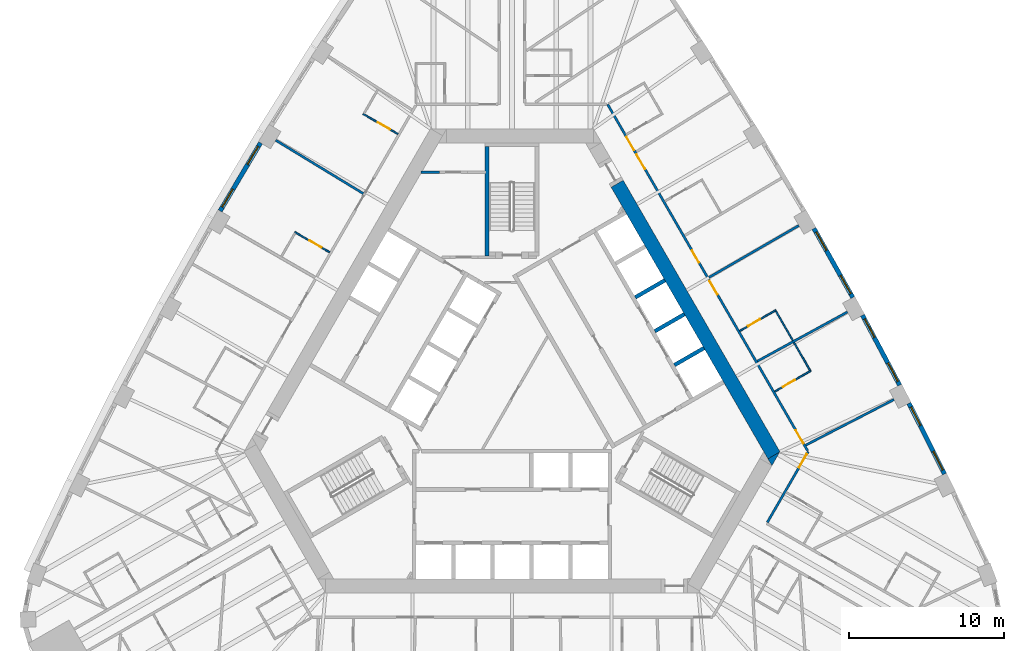
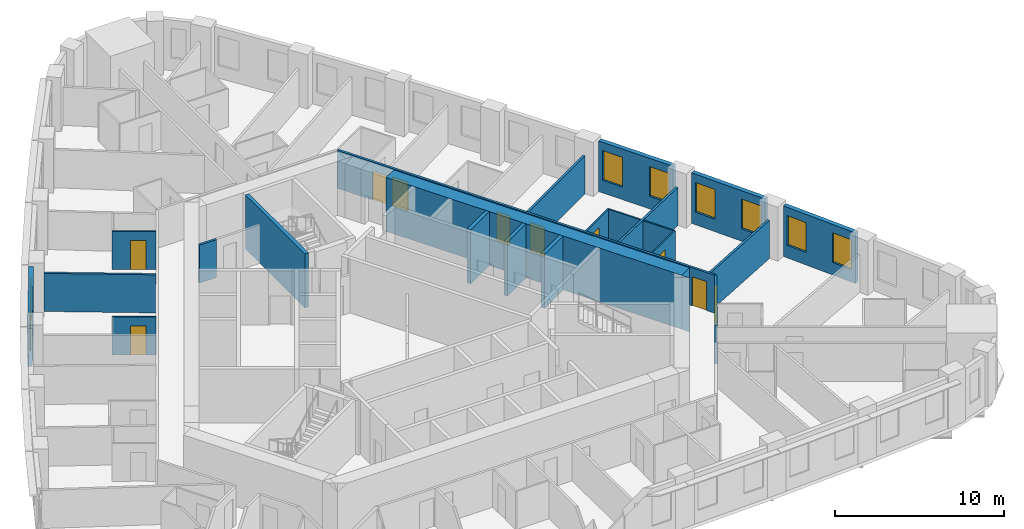
# One storey, part 9 of 13: 23 walls, 10 doors, 8 windows, 18 openings.
"""IFC4 building model written with IfcOpenShell, lengths in metres."""

from ifc_helpers import new_model, si_unit, direction, frame, frame_2d, origin, place, context, subcontext, project, spatial, polyline, rectangle, outline, extrude, material, layer, layer_set, type_object, element, fill, save


model = new_model("IFC4")

# Units and contexts
model_context = context("Model", 3, precision=1e-05, world=origin(), true_north=direction((0.0, 1.0)))
body_context = subcontext(model_context, "Body", "Model", "MODEL_VIEW")
ifc_project = project(units=[si_unit("LENGTHUNIT", "METRE"), si_unit("AREAUNIT", "SQUARE_METRE"), si_unit("VOLUMEUNIT", "CUBIC_METRE"), si_unit("PLANEANGLEUNIT", "RADIAN"), si_unit("MASSUNIT", "GRAM", prefix="KILO")], contexts=[model_context])

# Site, building, storey
site_placement = place(None, origin())
site = spatial("IfcSite", under=ifc_project, at=site_placement, CompositionType="ELEMENT")
building_placement = place(site_placement, origin())
building = spatial("IfcBuilding", under=site, at=building_placement, Name="Mestral Congress Tower", CompositionType="ELEMENT")
storey_placement = place(building_placement, frame((0.0, 0.0, 83.699951171875)))
storey = spatial("IfcBuildingStorey", under=building, at=storey_placement, Name="L19", CompositionType="ELEMENT", Elevation=83.699951171875)

# Walls
ifc_material_1 = material(Name="Fire-rated board partition")
ifc_layer_1 = layer(ifc_material_1, 0.14990234375)
ifc_layer_set_1 = layer_set([ifc_layer_1], Name="Fire-rated board partition")
wall_type_1 = type_object("IfcWallType", Name="Core partition 150", PredefinedType="PARTITIONING", material=ifc_layer_set_1)
wall_1_placement = place(storey_placement, frame((-5.85107421875, 14.10205078125, 0.0), z_axis=(0.0, 0.0, 1.0), x_axis=(1.0, 0.0, 0.0)))
element("IfcWall", 1, at=wall_1_placement, inside=storey, type_object=wall_type_1, Name="L19 core wall", PredefinedType="PARTITIONING", context=body_context, shape_type="SweptSolid", body=[
    extrude(rectangle(XDim=1.18017578125, YDim=0.14990234375, at=frame_2d((0.590087890625, 0.0))), origin(), (0.0, 0.0, 1.0), 2.75),
])
ifc_material_2 = material(Name="Concrete C60/75", Category="concrete")
ifc_layer_2 = layer(ifc_material_2, 0.89990234375)
ifc_layer_set_2 = layer_set([ifc_layer_2], Name="Concrete C60/75")
wall_type_2 = type_object("IfcWallType", Name="Core wall RC 900", PredefinedType="SOLIDWALL", material=ifc_layer_set_2)
wall_2_placement = place(storey_placement, frame((6.77587890625, 13.36376953125, 0.0), z_axis=(0.0, 0.0, 1.0), x_axis=(0.500004177138, -0.8660229921, 0.0)))
element("IfcWall", 2, at=wall_2_placement, inside=storey, type_object=wall_type_2, Name="L19 core wall", PredefinedType="SOLIDWALL", context=body_context, shape_type="SweptSolid", body=[
    extrude(rectangle(XDim=20.203857421875, YDim=0.89990234375, at=frame_2d((10.10205078125, 0.0))), origin(), (0.0, 0.0, 1.0), 3.900146484375),
])
wall_3_placement = place(storey_placement, origin())
element("IfcWall", 3, at=wall_3_placement, inside=storey, type_object=wall_type_2, Name="L19 core wall", PredefinedType="SOLIDWALL", context=body_context, shape_type="SweptSolid", body=[
    extrude(outline(polyline([(16.7431640625, -4.800048828125), (16.4892578125, -4.360107421875), (17.251220703125, -3.920166015625), (16.7431640625, -4.800048828125)])), origin(), (0.0, 0.0, 1.0), 3.900146484375),
])

# Wall, openings, windows
ifc_material_3 = material(Name="Precast concrete C40/50 with limestone facing", Category="masonry")
ifc_layer_3 = layer(ifc_material_3, 0.2900390625)
ifc_layer_set_3 = layer_set([ifc_layer_3], Name="Precast concrete C40/50 with limestone facing")
wall_type_3 = type_object("IfcWallType", Name="Facade stone wall 290", PredefinedType="SOLIDWALL", material=ifc_layer_set_3)
wall_4_placement = place(storey_placement, frame((27.864013671875, -5.336181640625, 0.0), z_axis=(0.0, 0.0, 1.0), x_axis=(-0.448534297211, 0.893765620409, 0.0)))
wall_4 = element("IfcWall", 4, at=wall_4_placement, inside=storey, type_object=wall_type_3, Name="Facade wall F1-01", PredefinedType="SOLIDWALL", context=body_context, shape_type="SweptSolid", body=[
    extrude(rectangle(XDim=5.10009765625, YDim=0.2900390625, at=frame_2d((2.550048828125, 0.0))), origin(), (0.0, 0.0, 1.0), 3.650146484375),
])
opening_1_placement = place(wall_4_placement, frame((0.2724609375, 0.0, 0.89990234375)))
opening_1 = element("IfcOpeningElement", 5, at=opening_1_placement, cuts=wall_4, Name="Opening W2", PredefinedType="OPENING", context=body_context, shape_type="SweptSolid", body=[
    extrude(rectangle(XDim=1.35009765625, YDim=2.14990234375, at=frame_2d((0.675048828125, 1.074951171875))), frame((0.0, 0.155029296875, 0.0), z_axis=(0.0, -1.0, 0.0), x_axis=(1.0, 0.0, 0.0)), (0.0, 0.0, 1.0), 0.31005859375),
])
opening_2_placement = place(wall_4_placement, frame((3.477783203125, 0.0, 0.89990234375)))
opening_2 = element("IfcOpeningElement", 6, at=opening_2_placement, cuts=wall_4, Name="Opening W2", PredefinedType="OPENING", context=body_context, shape_type="SweptSolid", body=[
    extrude(rectangle(XDim=1.35009765625, YDim=2.14990234375, at=frame_2d((0.675048828125, 1.074951171875))), frame((0.0, 0.155029296875, 0.0), z_axis=(0.0, -1.0, 0.0), x_axis=(1.0, 0.0, 0.0)), (0.0, 0.0, 1.0), 0.31005859375),
])
ifc_material_4 = material(Name="Clear low-emissivity double glazing", Category="glass")
window_type = type_object("IfcWindowType", Name="Facade punched window 1350 x 2150 sill 900", PartitioningType="DOUBLE_PANEL_VERTICAL", PredefinedType="WINDOW", material=ifc_material_4)
window_1_placement = place(opening_1_placement, origin())
window_1 = element("IfcWindow", 7, at=window_1_placement, inside=storey, type_object=window_type, Name="Window F1-01a", OverallHeight=2.14990234375, OverallWidth=1.35009765625, PartitioningType="DOUBLE_PANEL_VERTICAL", PredefinedType="WINDOW", context=body_context, shape_type="SweptSolid", body=[
    extrude(rectangle(XDim=1.35009765625, YDim=2.14990234375, at=frame_2d((0.675048828125, 1.074951171875))), frame((0.0, 0.01513671875, 0.0), z_axis=(0.0, -1.0, 0.0), x_axis=(1.0, 0.0, 0.0)), (0.0, 0.0, 1.0), 0.06005859375),
])
fill(opening_1, window_1)
window_2_placement = place(opening_2_placement, origin())
window_2 = element("IfcWindow", 8, at=window_2_placement, inside=storey, type_object=window_type, Name="Window F1-01b", OverallHeight=2.14990234375, OverallWidth=1.35009765625, PartitioningType="DOUBLE_PANEL_VERTICAL", PredefinedType="WINDOW", context=body_context, shape_type="SweptSolid", body=[
    extrude(rectangle(XDim=1.35009765625, YDim=2.14990234375, at=frame_2d((0.675048828125, 1.074951171875))), frame((0.0, 0.01513671875, 0.0), z_axis=(0.0, -1.0, 0.0), x_axis=(1.0, 0.0, 0.0)), (0.0, 0.0, 1.0), 0.06005859375),
])
fill(opening_2, window_2)

wall_5_placement = place(storey_placement, frame((24.976806640625, 0.3828125, 0.0), z_axis=(0.0, 0.0, 1.0), x_axis=(-0.469323203119, 0.883026461106, 0.0)))
wall_5 = element("IfcWall", 9, at=wall_5_placement, inside=storey, type_object=wall_type_3, Name="Facade wall F1-02", PredefinedType="SOLIDWALL", context=body_context, shape_type="SweptSolid", body=[
    extrude(rectangle(XDim=5.1005859375, YDim=0.2900390625, at=frame_2d((2.55029296875, 0.0))), origin(), (0.0, 0.0, 1.0), 3.650146484375),
])
opening_3_placement = place(wall_5_placement, frame((0.272705078125, 0.0, 0.89990234375)))
opening_3 = element("IfcOpeningElement", 10, at=opening_3_placement, cuts=wall_5, Name="Opening W2", PredefinedType="OPENING", context=body_context, shape_type="SweptSolid", body=[
    extrude(rectangle(XDim=1.35009765625, YDim=2.14990234375, at=frame_2d((0.675048828125, 1.074951171875))), frame((0.0, 0.155029296875, 0.0), z_axis=(0.0, -1.0, 0.0), x_axis=(1.0, 0.0, 0.0)), (0.0, 0.0, 1.0), 0.31005859375),
])
opening_4_placement = place(wall_5_placement, frame((3.477783203125, 0.0, 0.89990234375)))
opening_4 = element("IfcOpeningElement", 11, at=opening_4_placement, cuts=wall_5, Name="Opening W2", PredefinedType="OPENING", context=body_context, shape_type="SweptSolid", body=[
    extrude(rectangle(XDim=1.35009765625, YDim=2.14990234375, at=frame_2d((0.675048828125, 1.074951171875))), frame((0.0, 0.155029296875, 0.0), z_axis=(0.0, -1.0, 0.0), x_axis=(1.0, 0.0, 0.0)), (0.0, 0.0, 1.0), 0.31005859375),
])
window_3_placement = place(opening_3_placement, origin())
window_3 = element("IfcWindow", 12, at=window_3_placement, inside=storey, type_object=window_type, Name="Window F1-02a", OverallHeight=2.14990234375, OverallWidth=1.35009765625, PartitioningType="DOUBLE_PANEL_VERTICAL", PredefinedType="WINDOW", context=body_context, shape_type="SweptSolid", body=[
    extrude(rectangle(XDim=1.35009765625, YDim=2.14990234375, at=frame_2d((0.675048828125, 1.074951171875))), frame((0.0, 0.01513671875, 0.0), z_axis=(0.0, -1.0, 0.0), x_axis=(1.0, 0.0, 0.0)), (0.0, 0.0, 1.0), 0.06005859375),
])
fill(opening_3, window_3)
window_4_placement = place(opening_4_placement, origin())
window_4 = element("IfcWindow", 13, at=window_4_placement, inside=storey, type_object=window_type, Name="Window F1-02b", OverallHeight=2.14990234375, OverallWidth=1.35009765625, PartitioningType="DOUBLE_PANEL_VERTICAL", PredefinedType="WINDOW", context=body_context, shape_type="SweptSolid", body=[
    extrude(rectangle(XDim=1.35009765625, YDim=2.14990234375, at=frame_2d((0.675048828125, 1.074951171875))), frame((0.0, 0.01513671875, 0.0), z_axis=(0.0, -1.0, 0.0), x_axis=(1.0, 0.0, 0.0)), (0.0, 0.0, 1.0), 0.06005859375),
])
fill(opening_4, window_4)

wall_6_placement = place(storey_placement, frame((21.956298828125, 6.033203125, 0.0), z_axis=(0.0, 0.0, 1.0), x_axis=(-0.48983164787, 0.87181704316, 0.0)))
wall_6 = element("IfcWall", 14, at=wall_6_placement, inside=storey, type_object=wall_type_3, Name="Facade wall F1-03", PredefinedType="SOLIDWALL", context=body_context, shape_type="SweptSolid", body=[
    extrude(rectangle(XDim=5.100341796875, YDim=0.2900390625, at=frame_2d((2.55029296875, 0.0))), origin(), (0.0, 0.0, 1.0), 3.650146484375),
])
opening_5_placement = place(wall_6_placement, frame((0.272705078125, 0.0, 0.89990234375)))
opening_5 = element("IfcOpeningElement", 15, at=opening_5_placement, cuts=wall_6, Name="Opening W2", PredefinedType="OPENING", context=body_context, shape_type="SweptSolid", body=[
    extrude(rectangle(XDim=1.35009765625, YDim=2.14990234375, at=frame_2d((0.675048828125, 1.074951171875))), frame((0.0, 0.155029296875, 0.0), z_axis=(0.0, -1.0, 0.0), x_axis=(1.0, 0.0, 0.0)), (0.0, 0.0, 1.0), 0.31005859375),
])
opening_6_placement = place(wall_6_placement, frame((3.477783203125, 0.0, 0.89990234375)))
opening_6 = element("IfcOpeningElement", 16, at=opening_6_placement, cuts=wall_6, Name="Opening W2", PredefinedType="OPENING", context=body_context, shape_type="SweptSolid", body=[
    extrude(rectangle(XDim=1.35009765625, YDim=2.14990234375, at=frame_2d((0.675048828125, 1.074951171875))), frame((0.0, 0.155029296875, 0.0), z_axis=(0.0, -1.0, 0.0), x_axis=(1.0, 0.0, 0.0)), (0.0, 0.0, 1.0), 0.31005859375),
])
window_5_placement = place(opening_5_placement, origin())
window_5 = element("IfcWindow", 17, at=window_5_placement, inside=storey, type_object=window_type, Name="Window F1-03a", OverallHeight=2.14990234375, OverallWidth=1.35009765625, PartitioningType="DOUBLE_PANEL_VERTICAL", PredefinedType="WINDOW", context=body_context, shape_type="SweptSolid", body=[
    extrude(rectangle(XDim=1.35009765625, YDim=2.14990234375, at=frame_2d((0.675048828125, 1.074951171875))), frame((0.0, 0.01513671875, 0.0), z_axis=(0.0, -1.0, 0.0), x_axis=(1.0, 0.0, 0.0)), (0.0, 0.0, 1.0), 0.06005859375),
])
fill(opening_5, window_5)
window_6_placement = place(opening_6_placement, origin())
window_6 = element("IfcWindow", 18, at=window_6_placement, inside=storey, type_object=window_type, Name="Window F1-03b", OverallHeight=2.14990234375, OverallWidth=1.35009765625, PartitioningType="DOUBLE_PANEL_VERTICAL", PredefinedType="WINDOW", context=body_context, shape_type="SweptSolid", body=[
    extrude(rectangle(XDim=1.35009765625, YDim=2.14990234375, at=frame_2d((0.675048828125, 1.074951171875))), frame((0.0, 0.01513671875, 0.0), z_axis=(0.0, -1.0, 0.0), x_axis=(1.0, 0.0, 0.0)), (0.0, 0.0, 1.0), 0.06005859375),
])
fill(opening_6, window_6)

wall_7_placement = place(storey_placement, frame((-16.203125, 15.998291015625, 0.0), z_axis=(0.0, 0.0, 1.0), x_axis=(-0.510054281659, -0.860142214847, 0.0)))
wall_7 = element("IfcWall", 19, at=wall_7_placement, inside=storey, type_object=wall_type_3, Name="Facade wall F2-03", PredefinedType="SOLIDWALL", context=body_context, shape_type="SweptSolid", body=[
    extrude(rectangle(XDim=5.1005859375, YDim=0.2900390625, at=frame_2d((2.55029296875, 0.0))), origin(), (0.0, 0.0, 1.0), 3.650146484375),
])
opening_7_placement = place(wall_7_placement, frame((0.272705078125, 0.0, 0.89990234375)))
opening_7 = element("IfcOpeningElement", 20, at=opening_7_placement, cuts=wall_7, Name="Opening W2", PredefinedType="OPENING", context=body_context, shape_type="SweptSolid", body=[
    extrude(rectangle(XDim=1.35009765625, YDim=2.14990234375, at=frame_2d((0.675048828125, 1.074951171875))), frame((0.0, 0.155029296875, 0.0), z_axis=(0.0, -1.0, 0.0), x_axis=(1.0, 0.0, 0.0)), (0.0, 0.0, 1.0), 0.31005859375),
])
opening_8_placement = place(wall_7_placement, frame((3.477783203125, 0.0, 0.89990234375)))
opening_8 = element("IfcOpeningElement", 21, at=opening_8_placement, cuts=wall_7, Name="Opening W2", PredefinedType="OPENING", context=body_context, shape_type="SweptSolid", body=[
    extrude(rectangle(XDim=1.35009765625, YDim=2.14990234375, at=frame_2d((0.675048828125, 1.074951171875))), frame((0.0, 0.155029296875, 0.0), z_axis=(0.0, -1.0, 0.0), x_axis=(1.0, 0.0, 0.0)), (0.0, 0.0, 1.0), 0.31005859375),
])
window_7_placement = place(opening_7_placement, origin())
window_7 = element("IfcWindow", 22, at=window_7_placement, inside=storey, type_object=window_type, Name="Window F2-03a", OverallHeight=2.14990234375, OverallWidth=1.35009765625, PartitioningType="DOUBLE_PANEL_VERTICAL", PredefinedType="WINDOW", context=body_context, shape_type="SweptSolid", body=[
    extrude(rectangle(XDim=1.35009765625, YDim=2.14990234375, at=frame_2d((0.675048828125, 1.074951171875))), frame((0.0, 0.01513671875, 0.0), z_axis=(0.0, -1.0, 0.0), x_axis=(1.0, 0.0, 0.0)), (0.0, 0.0, 1.0), 0.06005859375),
])
fill(opening_7, window_7)
window_8_placement = place(opening_8_placement, origin())
window_8 = element("IfcWindow", 23, at=window_8_placement, inside=storey, type_object=window_type, Name="Window F2-03b", OverallHeight=2.14990234375, OverallWidth=1.35009765625, PartitioningType="DOUBLE_PANEL_VERTICAL", PredefinedType="WINDOW", context=body_context, shape_type="SweptSolid", body=[
    extrude(rectangle(XDim=1.35009765625, YDim=2.14990234375, at=frame_2d((0.675048828125, 1.074951171875))), frame((0.0, 0.01513671875, 0.0), z_axis=(0.0, -1.0, 0.0), x_axis=(1.0, 0.0, 0.0)), (0.0, 0.0, 1.0), 0.06005859375),
])
fill(opening_8, window_8)

# Wall, opening, door
ifc_material_5 = material(Name="Gypsum board partition on metal studs with mineral wool", Category="composite")
ifc_layer_4 = layer(ifc_material_5, 0.10009765625)
ifc_layer_set_4 = layer_set([ifc_layer_4], Name="Gypsum board partition on metal studs with mineral wool")
wall_type_4 = type_object("IfcWallType", Name="Hotel partition wall 100", PredefinedType="PARTITIONING", material=ifc_layer_set_4)
wall_8_placement = place(storey_placement, frame((16.931396484375, -0.02587890625, 0.0), z_axis=(0.0, 0.0, 1.0), x_axis=(0.866059108428, 0.4999416173, 0.0)))
wall_8 = element("IfcWall", 24, at=wall_8_placement, inside=storey, type_object=wall_type_4, Name="L19-h-pod12a", PredefinedType="PARTITIONING", context=body_context, shape_type="SweptSolid", body=[
    extrude(rectangle(XDim=2.699951171875, YDim=0.10009765625, at=frame_2d((1.35009765625, 0.0))), origin(), (0.0, 0.0, 1.0), 2.75),
])
opening_9_placement = place(wall_8_placement, frame((0.60009765625, 0.0, 0.0)))
opening_9 = element("IfcOpeningElement", 25, at=opening_9_placement, cuts=wall_8, Name="Opening H06-023", PredefinedType="OPENING", context=body_context, shape_type="SweptSolid", body=[
    extrude(rectangle(XDim=0.89990234375, YDim=2.10009765625, at=frame_2d((0.449951171875, 1.050048828125))), frame((0.0, 0.06005859375, 0.0), z_axis=(0.0, -1.0, 0.0), x_axis=(1.0, 0.0, 0.0)), (0.0, 0.0, 1.0), 0.1201171875),
])
ifc_material_6 = material(Name="Timber veneer door leaf in timber frame", Category="wood")
door_type_1 = type_object("IfcDoorType", Name="Bathroom door 900", OperationType="SINGLE_SWING_LEFT", PredefinedType="DOOR", material=ifc_material_6)
door_1_placement = place(opening_9_placement, origin())
door_1 = element("IfcDoor", 26, at=door_1_placement, inside=storey, type_object=door_type_1, Name="L19-h-d023", OperationType="SINGLE_SWING_RIGHT", OverallHeight=2.10009765625, OverallWidth=0.89990234375, PredefinedType="DOOR", context=body_context, shape_type="SweptSolid", body=[
    extrude(rectangle(XDim=0.89990234375, YDim=2.10009765625, at=frame_2d((0.449951171875, 1.050048828125))), frame((0.0, 0.02490234375, 0.0), z_axis=(0.0, -1.0, 0.0), x_axis=(1.0, 0.0, 0.0)), (0.0, 0.0, 1.0), 0.050048828125),
])
fill(opening_9, door_1)

# Wall
wall_9_placement = place(storey_placement, frame((19.1962890625, 1.350830078125, 0.0), z_axis=(0.0, 0.0, 1.0), x_axis=(-0.499956128963, 0.866050731258, 0.0)))
element("IfcWall", 27, at=wall_9_placement, inside=storey, type_object=wall_type_4, Name="L19-h-pod12b", PredefinedType="PARTITIONING", context=body_context, shape_type="SweptSolid", body=[
    extrude(rectangle(XDim=2.050048828125, YDim=0.10009765625, at=frame_2d((1.02490234375, 0.0))), origin(), (0.0, 0.0, 1.0), 2.75),
])

# Wall, opening, door
wall_10_placement = place(storey_placement, frame((17.015625, 5.22802734375, 0.0), z_axis=(0.0, 0.0, 1.0), x_axis=(-0.86599734893, -0.500048589285, 0.0)))
wall_10 = element("IfcWall", 28, at=wall_10_placement, inside=storey, type_object=wall_type_4, Name="L19-h-pod13a", PredefinedType="PARTITIONING", context=body_context, shape_type="SweptSolid", body=[
    extrude(rectangle(XDim=2.699951171875, YDim=0.10009765625, at=frame_2d((1.35009765625, 0.0))), origin(), (0.0, 0.0, 1.0), 2.75),
])
opening_10_placement = place(wall_10_placement, frame((1.199951171875, 0.0, 0.0)))
opening_10 = element("IfcOpeningElement", 29, at=opening_10_placement, cuts=wall_10, Name="Opening H06-025", PredefinedType="OPENING", context=body_context, shape_type="SweptSolid", body=[
    extrude(rectangle(XDim=0.89990234375, YDim=2.10009765625, at=frame_2d((0.449951171875, 1.050048828125))), frame((0.0, 0.06005859375, 0.0), z_axis=(0.0, -1.0, 0.0), x_axis=(1.0, 0.0, 0.0)), (0.0, 0.0, 1.0), 0.1201171875),
])
door_2_placement = place(opening_10_placement, origin())
door_2 = element("IfcDoor", 30, at=door_2_placement, inside=storey, type_object=door_type_1, Name="L19-h-d025", OperationType="SINGLE_SWING_LEFT", OverallHeight=2.10009765625, OverallWidth=0.89990234375, PredefinedType="DOOR", context=body_context, shape_type="SweptSolid", body=[
    extrude(rectangle(XDim=0.89990234375, YDim=2.10009765625, at=frame_2d((0.449951171875, 1.050048828125))), frame((0.0, 0.02490234375, 0.0), z_axis=(0.0, -1.0, 0.0), x_axis=(1.0, 0.0, 0.0)), (0.0, 0.0, 1.0), 0.050048828125),
])
fill(opening_10, door_2)

# Wall
wall_11_placement = place(storey_placement, frame((16.997314453125, 5.15966796875, 0.0), z_axis=(0.0, 0.0, 1.0), x_axis=(0.500011965869, -0.866018495177, 0.0)))
element("IfcWall", 31, at=wall_11_placement, inside=storey, type_object=wall_type_4, Name="L19-h-pod13b", PredefinedType="PARTITIONING", context=body_context, shape_type="SweptSolid", body=[
    extrude(rectangle(XDim=2.18994140625, YDim=0.10009765625, at=frame_2d((1.094970703125, 0.0))), origin(), (0.0, 0.0, 1.0), 2.75),
])

# Wall, opening, door
wall_12_placement = place(storey_placement, frame((-9.602783203125, 17.86767578125, 0.0), z_axis=(0.0, 0.0, 1.0), x_axis=(0.866021400173, -0.500006934395, 0.0)))
wall_12 = element("IfcWall", 32, at=wall_12_placement, inside=storey, type_object=wall_type_4, Name="L19-h-pod21a", PredefinedType="PARTITIONING", context=body_context, shape_type="SweptSolid", body=[
    extrude(rectangle(XDim=2.60009765625, YDim=0.10009765625, at=frame_2d((1.300048828125, 0.0))), origin(), (0.0, 0.0, 1.0), 2.75),
])
opening_11_placement = place(wall_12_placement, frame((1.10009765625, 0.0, 0.0)))
opening_11 = element("IfcOpeningElement", 33, at=opening_11_placement, cuts=wall_12, Name="Opening H06-040", PredefinedType="OPENING", context=body_context, shape_type="SweptSolid", body=[
    extrude(rectangle(XDim=0.89990234375, YDim=2.10009765625, at=frame_2d((0.449951171875, 1.050048828125))), frame((0.0, 0.06005859375, 0.0), z_axis=(0.0, -1.0, 0.0), x_axis=(1.0, 0.0, 0.0)), (0.0, 0.0, 1.0), 0.1201171875),
])
door_3_placement = place(opening_11_placement, origin())
door_3 = element("IfcDoor", 34, at=door_3_placement, inside=storey, type_object=door_type_1, Name="L19-h-d040", OperationType="SINGLE_SWING_RIGHT", OverallHeight=2.10009765625, OverallWidth=0.89990234375, PredefinedType="DOOR", context=body_context, shape_type="SweptSolid", body=[
    extrude(rectangle(XDim=0.89990234375, YDim=2.10009765625, at=frame_2d((0.449951171875, 1.050048828125))), frame((0.0, 0.02490234375, 0.0), z_axis=(0.0, -1.0, 0.0), x_axis=(1.0, 0.0, 0.0)), (0.0, 0.0, 1.0), 0.050048828125),
])
fill(opening_11, door_3)

wall_13_placement = place(storey_placement, frame((-11.74951171875, 8.949462890625, 0.0), z_axis=(0.0, 0.0, 1.0), x_axis=(-0.865997922154, 0.500047596559, 0.0)))
wall_13 = element("IfcWall", 35, at=wall_13_placement, inside=storey, type_object=wall_type_4, Name="L19-h-pod22a", PredefinedType="PARTITIONING", context=body_context, shape_type="SweptSolid", body=[
    extrude(rectangle(XDim=2.599853515625, YDim=0.10009765625, at=frame_2d((1.2998046875, 0.0))), origin(), (0.0, 0.0, 1.0), 2.75),
])
opening_12_placement = place(wall_13_placement, frame((0.60009765625, 0.0, 0.0)))
opening_12 = element("IfcOpeningElement", 36, at=opening_12_placement, cuts=wall_13, Name="Opening H06-042", PredefinedType="OPENING", context=body_context, shape_type="SweptSolid", body=[
    extrude(rectangle(XDim=0.89990234375, YDim=2.10009765625, at=frame_2d((0.449951171875, 1.050048828125))), frame((0.0, 0.06005859375, 0.0), z_axis=(0.0, -1.0, 0.0), x_axis=(1.0, 0.0, 0.0)), (0.0, 0.0, 1.0), 0.1201171875),
])
door_4_placement = place(opening_12_placement, origin())
door_4 = element("IfcDoor", 37, at=door_4_placement, inside=storey, type_object=door_type_1, Name="L19-h-d042", OperationType="SINGLE_SWING_LEFT", OverallHeight=2.10009765625, OverallWidth=0.89990234375, PredefinedType="DOOR", context=body_context, shape_type="SweptSolid", body=[
    extrude(rectangle(XDim=0.89990234375, YDim=2.10009765625, at=frame_2d((0.449951171875, 1.050048828125))), frame((0.0, 0.02490234375, 0.0), z_axis=(0.0, -1.0, 0.0), x_axis=(1.0, 0.0, 0.0)), (0.0, 0.0, 1.0), 0.050048828125),
])
fill(opening_12, door_4)

ifc_layer_5 = layer(ifc_material_5, 0.14990234375)
ifc_layer_set_5 = layer_set([ifc_layer_5], Name="Gypsum board partition on metal studs with mineral wool")
wall_type_5 = type_object("IfcWallType", Name="Hotel partition wall 150", PredefinedType="PARTITIONING", material=ifc_layer_set_5)
wall_14_placement = place(storey_placement, frame((19.081298828125, -3.89990234375, 0.0), z_axis=(0.0, 0.0, 1.0), x_axis=(-0.499974327079, -0.866040225545, 0.0)))
wall_14 = element("IfcWall", 38, at=wall_14_placement, inside=storey, type_object=wall_type_5, Name="L19-h-cw02", PredefinedType="PARTITIONING", context=body_context, shape_type="SweptSolid", body=[
    extrude(rectangle(XDim=5.258056640625, YDim=0.14990234375, at=frame_2d((2.62890625, 0.0))), origin(), (0.0, 0.0, 1.0), 2.75),
])
opening_13_placement = place(wall_14_placement, frame((0.179931640625, 0.0, 0.0)))
opening_13 = element("IfcOpeningElement", 39, at=opening_13_placement, cuts=wall_14, Name="Opening H06-020", PredefinedType="OPENING", context=body_context, shape_type="SweptSolid", body=[
    extrude(rectangle(XDim=1.0, YDim=2.10009765625, at=frame_2d((0.5, 1.050048828125))), frame((0.0, 0.0849609375, 0.0), z_axis=(0.0, -1.0, 0.0), x_axis=(1.0, 0.0, 0.0)), (0.0, 0.0, 1.0), 0.169921875),
])
ifc_material_7 = material(Name="Timber veneer door leaf in metal frame", Category="wood")
door_type_2 = type_object("IfcDoorType", Name="Guest room entrance door 1000", OperationType="SINGLE_SWING_LEFT", PredefinedType="DOOR", material=ifc_material_7)
door_5_placement = place(opening_13_placement, origin())
door_5 = element("IfcDoor", 40, at=door_5_placement, inside=storey, type_object=door_type_2, Name="L19-h-d020", OperationType="SINGLE_SWING_LEFT", OverallHeight=2.10009765625, OverallWidth=1.0, PredefinedType="DOOR", context=body_context, shape_type="SweptSolid", body=[
    extrude(rectangle(XDim=1.0, YDim=2.10009765625, at=frame_2d((0.5, 1.050048828125))), frame((0.0, 0.02490234375, 0.0), z_axis=(0.0, -1.0, 0.0), x_axis=(1.0, 0.0, 0.0)), (0.0, 0.0, 1.0), 0.050048828125),
])
fill(opening_13, door_5)

# Wall, openings, doors
wall_15_placement = place(storey_placement, frame((6.1630859375, 18.47509765625, 0.0), z_axis=(0.0, 0.0, 1.0), x_axis=(0.500001317485, -0.866024643133, 0.0)))
wall_15 = element("IfcWall", 41, at=wall_15_placement, inside=storey, type_object=wall_type_5, Name="L19-h-cw03", PredefinedType="PARTITIONING", context=body_context, shape_type="SweptSolid", body=[
    extrude(rectangle(XDim=25.7666015625, YDim=0.14990234375, at=frame_2d((12.88330078125, 0.0))), origin(), (0.0, 0.0, 1.0), 2.75),
])
opening_14_placement = place(wall_15_placement, frame((24.24072265625, 0.0, 0.0)))
opening_14 = element("IfcOpeningElement", 42, at=opening_14_placement, cuts=wall_15, Name="Opening H06-022", PredefinedType="OPENING", context=body_context, shape_type="SweptSolid", body=[
    extrude(rectangle(XDim=1.0, YDim=2.10009765625, at=frame_2d((0.5, 1.050048828125))), frame((0.0, 0.0849609375, 0.0), z_axis=(0.0, -1.0, 0.0), x_axis=(1.0, 0.0, 0.0)), (0.0, 0.0, 1.0), 0.169921875),
])
opening_15_placement = place(wall_15_placement, frame((13.143798828125, 0.0, 0.0)))
opening_15 = element("IfcOpeningElement", 43, at=opening_15_placement, cuts=wall_15, Name="Opening H06-024", PredefinedType="OPENING", context=body_context, shape_type="SweptSolid", body=[
    extrude(rectangle(XDim=1.0, YDim=2.10009765625, at=frame_2d((0.5, 1.050048828125))), frame((0.0, 0.0849609375, 0.0), z_axis=(0.0, -1.0, 0.0), x_axis=(1.0, 0.0, 0.0)), (0.0, 0.0, 1.0), 0.169921875),
])
opening_16_placement = place(wall_15_placement, frame((10.873779296875, 0.0, 0.0)))
opening_16 = element("IfcOpeningElement", 44, at=opening_16_placement, cuts=wall_15, Name="Opening H06-026", PredefinedType="OPENING", context=body_context, shape_type="SweptSolid", body=[
    extrude(rectangle(XDim=0.89990234375, YDim=2.10009765625, at=frame_2d((0.449951171875, 1.050048828125))), frame((0.0, 0.0849609375, 0.0), z_axis=(0.0, -1.0, 0.0), x_axis=(1.0, 0.0, 0.0)), (0.0, 0.0, 1.0), 0.169921875),
])
opening_17_placement = place(wall_15_placement, frame((3.718017578125, 0.0, 0.0)))
opening_17 = element("IfcOpeningElement", 45, at=opening_17_placement, cuts=wall_15, Name="Opening H06-027", PredefinedType="OPENING", context=body_context, shape_type="SweptSolid", body=[
    extrude(rectangle(XDim=1.10009765625, YDim=2.10009765625, at=frame_2d((0.550048828125, 1.050048828125))), frame((0.0, 0.0849609375, 0.0), z_axis=(0.0, -1.0, 0.0), x_axis=(1.0, 0.0, 0.0)), (0.0, 0.0, 1.0), 0.169921875),
])
opening_18_placement = place(wall_15_placement, frame((2.410888671875, 0.0, 0.0)))
opening_18 = element("IfcOpeningElement", 46, at=opening_18_placement, cuts=wall_15, Name="Opening H06-029", PredefinedType="OPENING", context=body_context, shape_type="SweptSolid", body=[
    extrude(rectangle(XDim=1.0, YDim=2.10009765625, at=frame_2d((0.5, 1.050048828125))), frame((0.0, 0.0849609375, 0.0), z_axis=(0.0, -1.0, 0.0), x_axis=(1.0, 0.0, 0.0)), (0.0, 0.0, 1.0), 0.169921875),
])
door_type_3 = type_object("IfcDoorType", Name="Accessible room entrance door 1100", OperationType="SINGLE_SWING_LEFT", PredefinedType="DOOR", material=ifc_material_7)
door_6_placement = place(opening_17_placement, origin())
door_6 = element("IfcDoor", 47, at=door_6_placement, inside=storey, type_object=door_type_3, Name="L19-h-d027", OperationType="SINGLE_SWING_LEFT", OverallHeight=2.10009765625, OverallWidth=1.10009765625, PredefinedType="DOOR", context=body_context, shape_type="SweptSolid", body=[
    extrude(rectangle(XDim=1.10009765625, YDim=2.10009765625, at=frame_2d((0.550048828125, 1.050048828125))), frame((0.0, 0.02490234375, 0.0), z_axis=(0.0, -1.0, 0.0), x_axis=(1.0, 0.0, 0.0)), (0.0, 0.0, 1.0), 0.050048828125),
])
fill(opening_17, door_6)
door_7_placement = place(opening_14_placement, origin())
door_7 = element("IfcDoor", 48, at=door_7_placement, inside=storey, type_object=door_type_2, Name="L19-h-d022", OperationType="SINGLE_SWING_RIGHT", OverallHeight=2.10009765625, OverallWidth=1.0, PredefinedType="DOOR", context=body_context, shape_type="SweptSolid", body=[
    extrude(rectangle(XDim=1.0, YDim=2.10009765625, at=frame_2d((0.5, 1.050048828125))), frame((0.0, 0.02490234375, 0.0), z_axis=(0.0, -1.0, 0.0), x_axis=(1.0, 0.0, 0.0)), (0.0, 0.0, 1.0), 0.050048828125),
])
fill(opening_14, door_7)
door_8_placement = place(opening_15_placement, origin())
door_8 = element("IfcDoor", 49, at=door_8_placement, inside=storey, type_object=door_type_2, Name="L19-h-d024", OperationType="SINGLE_SWING_LEFT", OverallHeight=2.10009765625, OverallWidth=1.0, PredefinedType="DOOR", context=body_context, shape_type="SweptSolid", body=[
    extrude(rectangle(XDim=1.0, YDim=2.10009765625, at=frame_2d((0.5, 1.050048828125))), frame((0.0, 0.02490234375, 0.0), z_axis=(0.0, -1.0, 0.0), x_axis=(1.0, 0.0, 0.0)), (0.0, 0.0, 1.0), 0.050048828125),
])
fill(opening_15, door_8)
door_9_placement = place(opening_18_placement, origin())
door_9 = element("IfcDoor", 50, at=door_9_placement, inside=storey, type_object=door_type_2, Name="L19-h-d029", OperationType="SINGLE_SWING_RIGHT", OverallHeight=2.10009765625, OverallWidth=1.0, PredefinedType="DOOR", context=body_context, shape_type="SweptSolid", body=[
    extrude(rectangle(XDim=1.0, YDim=2.10009765625, at=frame_2d((0.5, 1.050048828125))), frame((0.0, 0.02490234375, 0.0), z_axis=(0.0, -1.0, 0.0), x_axis=(1.0, 0.0, 0.0)), (0.0, 0.0, 1.0), 0.050048828125),
])
fill(opening_18, door_9)
door_type_4 = type_object("IfcDoorType", Name="Service room door 900", OperationType="SINGLE_SWING_LEFT", PredefinedType="DOOR", material=ifc_material_7)
door_10_placement = place(opening_16_placement, origin())
door_10 = element("IfcDoor", 51, at=door_10_placement, inside=storey, type_object=door_type_4, Name="L19-h-d026", OperationType="SINGLE_SWING_RIGHT", OverallHeight=2.10009765625, OverallWidth=0.89990234375, PredefinedType="DOOR", context=body_context, shape_type="SweptSolid", body=[
    extrude(rectangle(XDim=0.89990234375, YDim=2.10009765625, at=frame_2d((0.449951171875, 1.050048828125))), frame((0.0, 0.02490234375, 0.0), z_axis=(0.0, -1.0, 0.0), x_axis=(1.0, 0.0, 0.0)), (0.0, 0.0, 1.0), 0.050048828125),
])
fill(opening_16, door_10)

# Walls
wall_16_placement = place(storey_placement, frame((-15.22509765625, 16.16748046875, 0.0), z_axis=(0.0, 0.0, 1.0), x_axis=(0.854088713274, -0.520127359266, 0.0)))
element("IfcWall", 52, at=wall_16_placement, inside=storey, type_object=wall_type_5, Name="L19-h-pw10", PredefinedType="PARTITIONING", context=body_context, shape_type="SweptSolid", body=[
    extrude(rectangle(XDim=6.61083984375, YDim=0.14990234375, at=frame_2d((3.305419921875, 0.0))), origin(), (0.0, 0.0, 1.0), 2.75),
])
wall_17_placement = place(storey_placement, frame((18.484130859375, 10.671875, 0.0), z_axis=(0.0, 0.0, 1.0), x_axis=(-0.866019162053, -0.50001081084, 0.0)))
element("IfcWall", 53, at=wall_17_placement, inside=storey, type_object=wall_type_5, Name="L19-h-pw23", PredefinedType="PARTITIONING", context=body_context, shape_type="SweptSolid", body=[
    extrude(rectangle(XDim=6.693603515625, YDim=0.14990234375, at=frame_2d((3.3466796875, 0.0))), origin(), (0.0, 0.0, 1.0), 2.75),
])
wall_18_placement = place(storey_placement, frame((21.614013671875, 5.1015625, 0.0), z_axis=(0.0, 0.0, 1.0), x_axis=(-0.877484555087, -0.479604895287, 0.0)))
element("IfcWall", 54, at=wall_18_placement, inside=storey, type_object=wall_type_5, Name="L19-h-pw25", PredefinedType="PARTITIONING", context=body_context, shape_type="SweptSolid", body=[
    extrude(rectangle(XDim=6.611083984375, YDim=0.14990234375, at=frame_2d((3.3056640625, 0.0))), origin(), (0.0, 0.0, 1.0), 2.75),
])
wall_19_placement = place(storey_placement, frame((24.612548828125, -0.54052734375, 0.0), z_axis=(0.0, 0.0, 1.0), x_axis=(-0.888459912519, -0.458954228487, 0.0)))
element("IfcWall", 55, at=wall_19_placement, inside=storey, type_object=wall_type_5, Name="L19-h-pw27", PredefinedType="PARTITIONING", context=body_context, shape_type="SweptSolid", body=[
    extrude(rectangle(XDim=6.391845703125, YDim=0.14990234375, at=frame_2d((3.19580078125, 0.0))), origin(), (0.0, 0.0, 1.0), 2.75),
])
ifc_layer_6 = layer(ifc_material_2, 0.25)
ifc_layer_set_6 = layer_set([ifc_layer_6], Name="Concrete C60/75")
wall_type_6 = type_object("IfcWallType", Name="Shaft wall RC 250", PredefinedType="SOLIDWALL", material=ifc_layer_set_6)
for number, where, z_axis, x_axis, name in (
    (56, (10.463623046875, 1.676513671875, 0.0), (0.0, 0.0, 1.0), (0.86605622881, 0.499946605688, 0.0), "L19 core wall"),
    (57, (7.943603515625, 6.041259765625, 0.0), (0.0, 0.0, 1.0), (0.86605622881, 0.499946605688, 0.0), "L19 core wall"),
    (58, (9.20361328125, 3.85888671875, 0.0), (0.0, 0.0, 1.0), (0.86605622881, 0.499946605688, 0.0), "L19 core wall"),
):
    element("IfcWall", number, at=place(storey_placement, frame(where, z_axis=z_axis, x_axis=x_axis)), inside=storey, type_object=wall_type_6, Name=name, PredefinedType="SOLIDWALL", context=body_context, shape_type="SweptSolid", body=[
        extrude(rectangle(XDim=2.199951171875, YDim=0.25, at=frame_2d((1.10009765625, 0.0))), origin(), (0.0, 0.0, 1.0), 3.900146484375),
    ])
ifc_layer_7 = layer(ifc_material_2, 0.25)
ifc_layer_set_7 = layer_set([ifc_layer_7], Name="Concrete C60/75")
wall_type_7 = type_object("IfcWallType", Name="Stair wall RC 250", PredefinedType="SOLIDWALL", material=ifc_layer_set_7)
wall_20_placement = place(storey_placement, frame((-1.60009765625, 8.699951171875, 0.0), z_axis=(0.0, 0.0, 1.0), x_axis=(0.0, 1.0, 0.0)))
element("IfcWall", 59, at=wall_20_placement, inside=storey, type_object=wall_type_7, Name="L19 core wall", PredefinedType="SOLIDWALL", context=body_context, shape_type="SweptSolid", body=[
    extrude(rectangle(XDim=7.050048828125, YDim=0.25, at=frame_2d((3.52490234375, 0.0))), origin(), (0.0, 0.0, 1.0), 3.900146484375),
])

save(model, "model.ifc")
